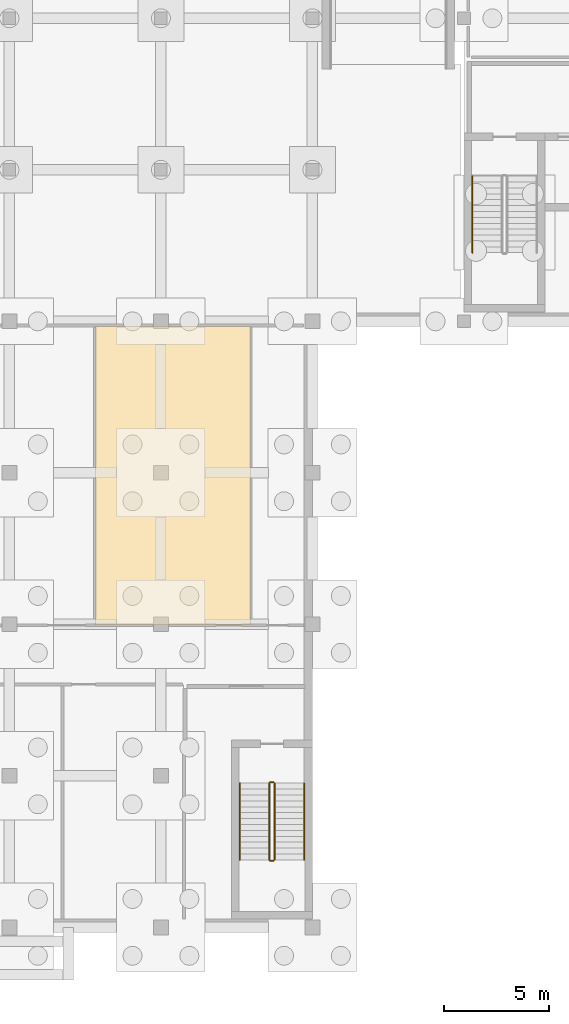
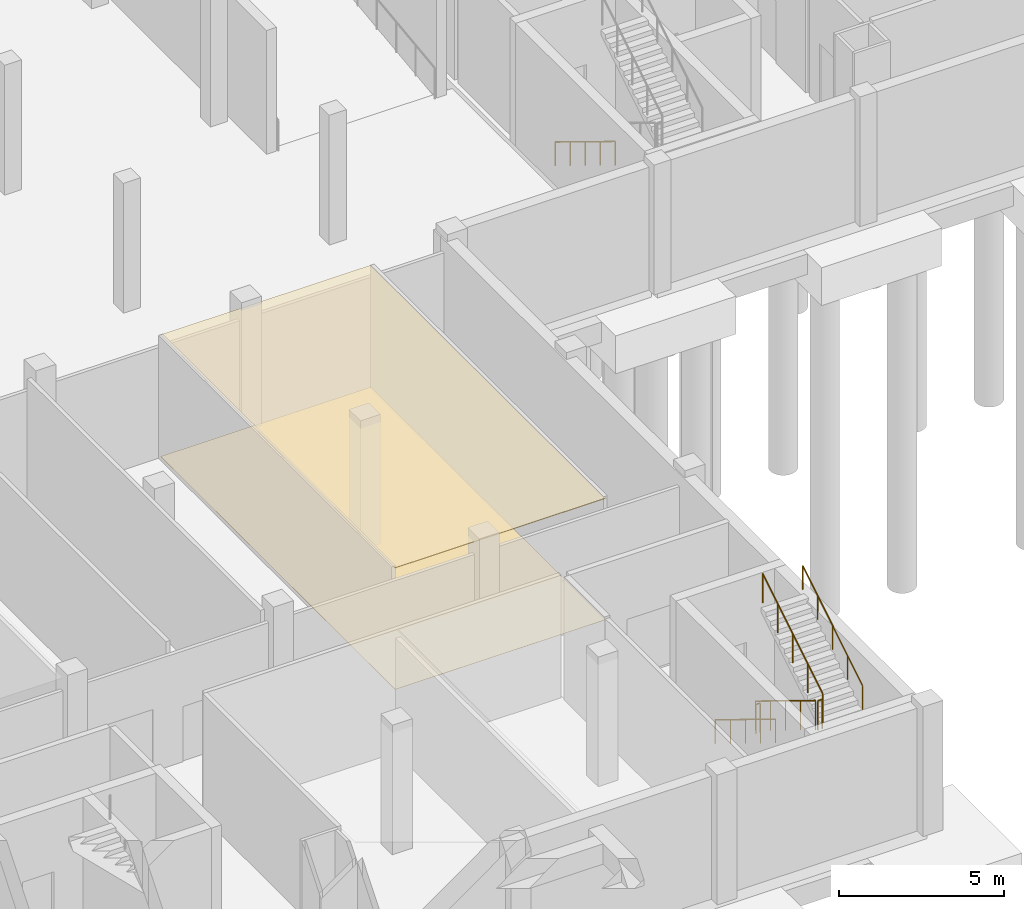
# One storey, part 30 of 35: 7 railings, 2 coverings.
"""IFC4 building model written with IfcOpenShell, lengths in metres."""

from ifc_helpers import new_model, si_unit, direction, frame, origin, origin_2d, place, context, subcontext, project, spatial, polyline, circle, outline, extrude, material, layer, layer_set, type_object, element, save


model = new_model("IFC4")

# Units and contexts
model_context = context("Model", 3, precision=1e-05, world=origin(), true_north=direction((0.0, 1.0)))
body_context = subcontext(model_context, "Body", "Model", "MODEL_VIEW")
ifc_project = project(units=[si_unit("LENGTHUNIT", "METRE"), si_unit("AREAUNIT", "SQUARE_METRE"), si_unit("VOLUMEUNIT", "CUBIC_METRE"), si_unit("PLANEANGLEUNIT", "RADIAN"), si_unit("MASSUNIT", "GRAM", prefix="KILO")], contexts=[model_context])

# Site, building, storey
site_placement = place(None, origin())
site = spatial("IfcSite", under=ifc_project, at=site_placement, CompositionType="ELEMENT")
building_placement = place(site_placement, origin())
building = spatial("IfcBuilding", under=site, at=building_placement, Name="Zarrinpeak Specialist Clinic", CompositionType="ELEMENT")
storey_placement = place(building_placement, frame((0.0, 0.0, -4.800048828125)))
storey = spatial("IfcBuildingStorey", under=building, at=storey_placement, Name="B01", CompositionType="ELEMENT", Elevation=-4.800048828125)

# Coverings
ifc_material_1 = material(Name="Hygienic Acoustic Mineral Fibre Tile")
ifc_layer_1 = layer(ifc_material_1, 0.02490234375)
ifc_layer_set_1 = layer_set([ifc_layer_1], Name="Hygienic Acoustic Mineral Fibre Tile")
covering_type_1 = type_object("IfcCoveringType", Name="CV-CEIL-AC", PredefinedType="CEILING", material=ifc_layer_set_1)
covering_1_placement = place(storey_placement, frame((0.0, 0.0, 4.485107421875)))
element("IfcCovering", 1, at=covering_1_placement, inside=storey, type_object=covering_type_1, Name="B01 Specialist Consultation Room 4 Hygienic Acoustic Ceiling", PredefinedType="CEILING", context=body_context, shape_type="SweptSolid", body=[
    extrude(outline(polyline([(76.090087890625, 14.3701171875), (83.449951171875, 14.3701171875), (83.449951171875, 28.580078125), (76.090087890625, 28.580078125), (76.090087890625, 14.3701171875)])), origin(), (0.0, 0.0, 1.0), 0.02490234375),
])
ifc_material_2 = material(Name="Homogeneous Antimicrobial Clinical Vinyl")
ifc_layer_2 = layer(ifc_material_2, 0.008056640625)
ifc_layer_set_2 = layer_set([ifc_layer_2], Name="Homogeneous Antimicrobial Clinical Vinyl")
covering_type_2 = type_object("IfcCoveringType", Name="CV-FLR-VN", PredefinedType="FLOORING", material=ifc_layer_set_2)
covering_2_placement = place(storey_placement, frame((0.0, 0.0, 0.0009765625)))
element("IfcCovering", 2, at=covering_2_placement, inside=storey, type_object=covering_type_2, Name="B01 Specialist Consultation Room 4 Antimicrobial Vinyl Flooring", PredefinedType="FLOORING", context=body_context, shape_type="SweptSolid", body=[
    extrude(outline(polyline([(76.090087890625, 14.3701171875), (83.449951171875, 14.3701171875), (83.449951171875, 28.580078125), (76.090087890625, 28.580078125), (76.090087890625, 14.3701171875)])), origin(), (0.0, 0.0, 1.0), 0.008056640625),
])

# Railings
ifc_material_3 = material(Name="Laminated Safety Glass and Stainless Steel 316", Category="steel")
ifc_layer_3 = layer(ifc_material_3, 0.06005859375)
ifc_layer_set_3 = layer_set([ifc_layer_3], Name="Laminated Safety Glass and Stainless Steel 316")
railing_type_1 = type_object("IfcRailingType", Name="RL-GRD115", PredefinedType="GUARDRAIL", material=ifc_layer_set_3)
railing_1_placement = place(storey_placement, frame((84.35009765625, 6.85009765625, 0.17138671875)))
element("IfcRailing", 3, at=railing_1_placement, inside=storey, type_object=railing_type_1, Name="B01 ST-08 stair guard 1", PredefinedType="GUARDRAIL", context=body_context, shape_type="SweptSolid", body=[
    extrude(circle(Radius=0.02392578125, at=origin_2d()), frame((0.0, 0.0, 1.076171875), z_axis=(0.0, -0.852840387347, 0.522171689878), x_axis=(1.0, 0.0, 0.0)), (0.0, 0.0, 1.0), 4.268310546875),
    extrude(circle(Radius=0.02099609375, at=origin_2d()), origin(), (0.0, 0.0, 1.0), 1.052001953125),
    extrude(circle(Radius=0.02099609375, at=origin_2d()), frame((0.0, -0.91015625, 0.55712890625)), (0.0, 0.0, 1.0), 1.052001953125),
    extrude(circle(Radius=0.02099609375, at=origin_2d()), frame((0.0, -1.820068359375, 1.1142578125)), (0.0, 0.0, 1.0), 1.052001953125),
    extrude(circle(Radius=0.02099609375, at=origin_2d()), frame((0.0, -2.72998046875, 1.671630859375)), (0.0, 0.0, 1.0), 1.052001953125),
    extrude(circle(Radius=0.02099609375, at=origin_2d()), frame((0.0, -3.64013671875, 2.228759765625)), (0.0, 0.0, 1.0), 1.052001953125),
])
railing_2_placement = place(storey_placement, frame((84.39990234375, 3.159912109375, 2.400146484375)))
element("IfcRailing", 4, at=railing_2_placement, inside=storey, type_object=railing_type_1, Name="B01 ST-08 stair guard 2", PredefinedType="GUARDRAIL", context=body_context, shape_type="SweptSolid", body=[
    extrude(circle(Radius=0.02392578125, at=origin_2d()), frame((0.0, 0.0, 1.076171875), z_axis=(1.0, 0.0, 0.0), x_axis=(0.0, 1.0, 0.0)), (0.0, 0.0, 1.0), 0.150146484375),
    extrude(circle(Radius=0.02099609375, at=origin_2d()), origin(), (0.0, 0.0, 1.0), 1.052001953125),
    extrude(circle(Radius=0.02099609375, at=origin_2d()), frame((0.150146484375, 0.0, 0.0)), (0.0, 0.0, 1.0), 1.052001953125),
])
railing_3_placement = place(storey_placement, frame((84.60009765625, 3.2099609375, 2.571533203125)))
element("IfcRailing", 5, at=railing_3_placement, inside=storey, type_object=railing_type_1, Name="B01 ST-08 stair guard 3", PredefinedType="GUARDRAIL", context=body_context, shape_type="SweptSolid", body=[
    extrude(circle(Radius=0.02392578125, at=origin_2d()), frame((0.0, 0.0, 1.076171875), z_axis=(0.0, 0.852865859571, 0.52213008492), x_axis=(-1.0, 0.0, 0.0)), (0.0, 0.0, 1.0), 4.26806640625),
    extrude(circle(Radius=0.02099609375, at=origin_2d()), origin(), (0.0, 0.0, 1.0), 1.052001953125),
    extrude(circle(Radius=0.02099609375, at=origin_2d()), frame((0.0, 0.91015625, 0.55712890625)), (0.0, 0.0, 1.0), 1.052001953125),
    extrude(circle(Radius=0.02099609375, at=origin_2d()), frame((0.0, 1.820068359375, 1.1142578125)), (0.0, 0.0, 1.0), 1.052001953125),
    extrude(circle(Radius=0.02099609375, at=origin_2d()), frame((0.0, 2.72998046875, 1.67138671875)), (0.0, 0.0, 1.0), 1.052001953125),
    extrude(circle(Radius=0.02099609375, at=origin_2d()), frame((0.0, 3.64013671875, 2.228515625)), (0.0, 0.0, 1.0), 1.052001953125),
])
railing_4_placement = place(storey_placement, frame((84.39990234375, 6.89990234375, 0.0)))
element("IfcRailing", 6, at=railing_4_placement, inside=storey, type_object=railing_type_1, Name="B01 ST-08 stair guard 4", PredefinedType="GUARDRAIL", context=body_context, shape_type="SweptSolid", body=[
    extrude(circle(Radius=0.02392578125, at=origin_2d()), frame((0.0, 0.0, 1.076171875), z_axis=(1.0, 0.0, 0.0), x_axis=(0.0, 1.0, 0.0)), (0.0, 0.0, 1.0), 0.150146484375),
    extrude(circle(Radius=0.02099609375, at=origin_2d()), origin(), (0.0, 0.0, 1.0), 1.052001953125),
    extrude(circle(Radius=0.02099609375, at=origin_2d()), frame((0.150146484375, 0.0, 0.0)), (0.0, 0.0, 1.0), 1.052001953125),
])
ifc_material_4 = material(Name="Brushed Stainless Steel 316 Handrail", Category="steel")
ifc_layer_4 = layer(ifc_material_4, 0.050048828125)
ifc_layer_set_4 = layer_set([ifc_layer_4], Name="Brushed Stainless Steel 316 Handrail")
railing_type_2 = type_object("IfcRailingType", Name="RL-HND92", PredefinedType="HANDRAIL", material=ifc_layer_set_4)
railing_5_placement = place(storey_placement, frame((94.0, 35.699951171875, 0.17138671875)))
element("IfcRailing", 7, at=railing_5_placement, inside=storey, type_object=railing_type_2, Name="B01 ST-05 stair handrail 1", PredefinedType="HANDRAIL", context=body_context, shape_type="SweptSolid", body=[
    extrude(circle(Radius=0.02392578125, at=origin_2d()), frame((0.0, 0.0, 0.8759765625), z_axis=(0.0, -0.852824790078, 0.522197163366), x_axis=(1.0, 0.0, 0.0)), (0.0, 0.0, 1.0), 4.26806640625),
    extrude(circle(Radius=0.02099609375, at=origin_2d()), origin(), (0.0, 0.0, 1.0), 0.851806640625),
    extrude(circle(Radius=0.02099609375, at=origin_2d()), frame((0.0, -0.909912109375, 0.55712890625)), (0.0, 0.0, 1.0), 0.851806640625),
    extrude(circle(Radius=0.02099609375, at=origin_2d()), frame((0.0, -1.81982421875, 1.1142578125)), (0.0, 0.0, 1.0), 0.851806640625),
    extrude(circle(Radius=0.02099609375, at=origin_2d()), frame((0.0, -2.72998046875, 1.671630859375)), (0.0, 0.0, 1.0), 0.851806640625),
    extrude(circle(Radius=0.02099609375, at=origin_2d()), frame((0.0, -3.639892578125, 2.228759765625)), (0.0, 0.0, 1.0), 0.851806640625),
])
railing_6_placement = place(storey_placement, frame((82.949951171875, 6.85009765625, 0.17138671875)))
element("IfcRailing", 8, at=railing_6_placement, inside=storey, type_object=railing_type_2, Name="B01 ST-08 stair handrail 1", PredefinedType="HANDRAIL", context=body_context, shape_type="SweptSolid", body=[
    extrude(circle(Radius=0.02392578125, at=origin_2d()), frame((0.0, 0.0, 0.8759765625), z_axis=(0.0, -0.852840387347, 0.522171689878), x_axis=(1.0, 0.0, 0.0)), (0.0, 0.0, 1.0), 4.268310546875),
    extrude(circle(Radius=0.02099609375, at=origin_2d()), origin(), (0.0, 0.0, 1.0), 0.851806640625),
    extrude(circle(Radius=0.02099609375, at=origin_2d()), frame((0.0, -0.91015625, 0.55712890625)), (0.0, 0.0, 1.0), 0.851806640625),
    extrude(circle(Radius=0.02099609375, at=origin_2d()), frame((0.0, -1.820068359375, 1.1142578125)), (0.0, 0.0, 1.0), 0.851806640625),
    extrude(circle(Radius=0.02099609375, at=origin_2d()), frame((0.0, -2.72998046875, 1.671630859375)), (0.0, 0.0, 1.0), 0.851806640625),
    extrude(circle(Radius=0.02099609375, at=origin_2d()), frame((0.0, -3.64013671875, 2.228759765625)), (0.0, 0.0, 1.0), 0.851806640625),
])
railing_7_placement = place(storey_placement, frame((86.0, 3.2099609375, 2.571533203125)))
element("IfcRailing", 9, at=railing_7_placement, inside=storey, type_object=railing_type_2, Name="B01 ST-08 stair handrail 2", PredefinedType="HANDRAIL", context=body_context, shape_type="SweptSolid", body=[
    extrude(circle(Radius=0.02392578125, at=origin_2d()), frame((0.0, 0.0, 0.8759765625), z_axis=(0.0, 0.852865859571, 0.52213008492), x_axis=(-1.0, 0.0, 0.0)), (0.0, 0.0, 1.0), 4.26806640625),
    extrude(circle(Radius=0.02099609375, at=origin_2d()), origin(), (0.0, 0.0, 1.0), 0.851806640625),
    extrude(circle(Radius=0.02099609375, at=origin_2d()), frame((0.0, 0.91015625, 0.55712890625)), (0.0, 0.0, 1.0), 0.851806640625),
    extrude(circle(Radius=0.02099609375, at=origin_2d()), frame((0.0, 1.820068359375, 1.1142578125)), (0.0, 0.0, 1.0), 0.851806640625),
    extrude(circle(Radius=0.02099609375, at=origin_2d()), frame((0.0, 2.72998046875, 1.67138671875)), (0.0, 0.0, 1.0), 0.851806640625),
    extrude(circle(Radius=0.02099609375, at=origin_2d()), frame((0.0, 3.64013671875, 2.228515625)), (0.0, 0.0, 1.0), 0.851806640625),
])

save(model, "model.ifc")
